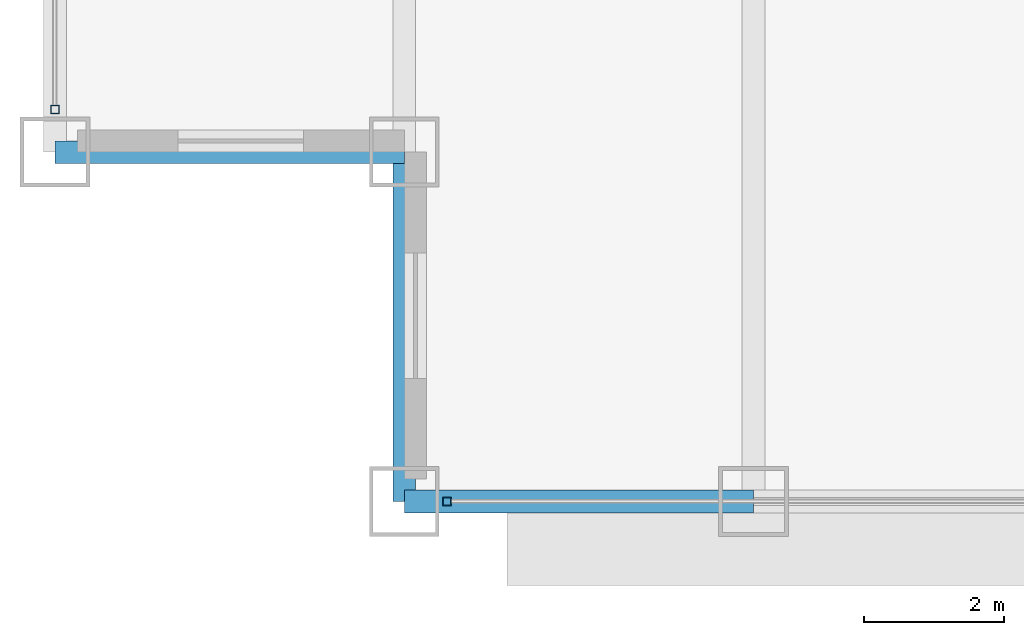
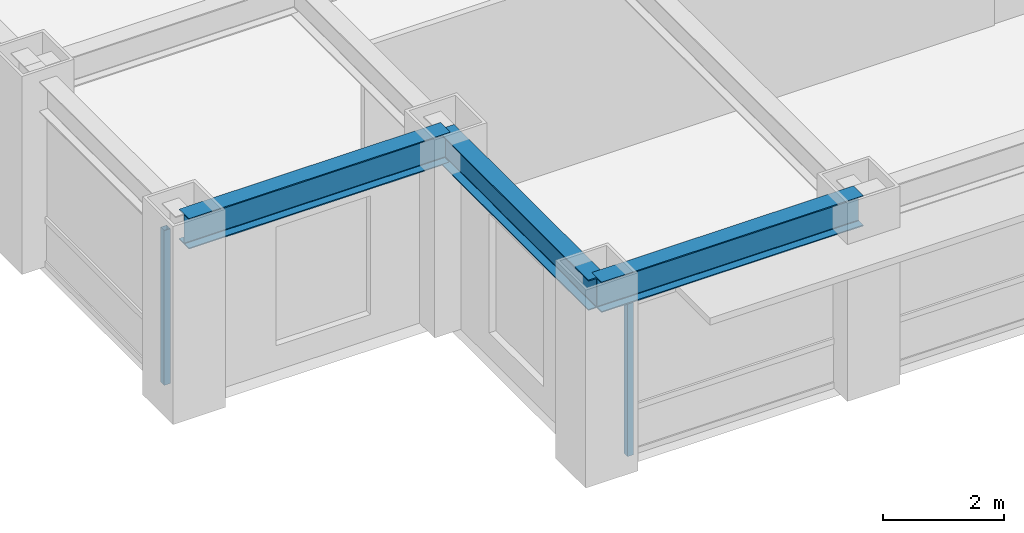
# One storey, part 2 of 29: 3 beams, 2 members, 2 elements without a shape of their own.
"""IFC4 building model written with IfcOpenShell, lengths in metres."""

from ifc_helpers import new_model, si_unit, direction, frame, origin, origin_2d, place, context, subcontext, project, spatial, hollow_rectangle, i_section, extrude, source, transform, mapped, material, material_profile, profile_set, type_object, element, aggregate, save


model = new_model("IFC4")

# Units and contexts
model_context = context("Model", 3, precision=1e-05, world=origin(), true_north=direction((0.0, 1.0)))
body_context = subcontext(model_context, "Body", "Model", "MODEL_VIEW")
ifc_project = project(units=[si_unit("LENGTHUNIT", "METRE"), si_unit("AREAUNIT", "SQUARE_METRE"), si_unit("VOLUMEUNIT", "CUBIC_METRE"), si_unit("PLANEANGLEUNIT", "RADIAN"), si_unit("MASSUNIT", "GRAM", prefix="KILO")], contexts=[model_context])

# Site, building, storey
site_placement = place(None, origin())
site = spatial("IfcSite", under=ifc_project, at=site_placement, CompositionType="ELEMENT")
building_placement = place(site_placement, origin())
building = spatial("IfcBuilding", under=site, at=building_placement, Name="Khorayat Bourse Tower", CompositionType="ELEMENT")
storey_placement = place(building_placement, frame((0.0, 0.0, 235.10009765625)))
storey = spatial("IfcBuildingStorey", under=building, at=storey_placement, Name="L55", CompositionType="ELEMENT", Elevation=235.10009765625)

# Beams
ifc_material_1 = material(Name="Steel ASTM A992 Grade 50", Category="steel")
ifc_material_profile_1 = material_profile(ifc_material_1, i_section(OverallWidth=0.324951171875, OverallDepth=0.615966796875, WebThickness=0.013916015625, FlangeThickness=0.021484375, FilletRadius=0.01611328125, at=origin_2d()), Name="W610X174")
ifc_profile_set_1 = profile_set([ifc_material_profile_1], Name="Steel ASTM A992 Grade 50")
beam_type = type_object("IfcBeamType", Name="BM-SPAN-610", PredefinedType="SPANDREL", material=ifc_profile_set_1)
shared_shape_1 = source(origin(), body_context, "Body", "SweptSolid", [
    extrude(i_section(OverallWidth=0.324951171875, OverallDepth=0.615966796875, WebThickness=0.013916015625, FlangeThickness=0.021484375, FilletRadius=0.01611328125, at=origin_2d()), origin(), (0.0, 0.0, 1.0), 5.0),
])
for number, where, z_axis, x_axis, name in (
    (1, (-25.0, -30.0, 3.471923828125), (1.0, 0.0, 0.0), (0.0, 1.0, 0.0), "L55 BM-SPAN-610 BM-L55-SPN-024"),
    (2, (-30.0, -25.0, 3.471923828125), (1.0, 0.0, 0.0), (0.0, 1.0, 0.0), "L55 BM-SPAN-610 BM-L55-SPN-062"),
    (3, (-25.0, -30.0, 3.471923828125), (0.0, 1.0, 0.0), (-1.0, 0.0, 0.0), "L55 BM-SPAN-610 BM-L55-SPN-063"),
):
    element("IfcBeam", number, at=place(storey_placement, frame(where, z_axis=z_axis, x_axis=x_axis)), inside=storey, type_object=beam_type, Name=name, PredefinedType="SPANDREL", context=body_context, shape_type="MappedRepresentation", body=[
        mapped(shared_shape_1, transform((0.0, 0.0, 0.0), scale=1.0)),
    ])

# Curtain wall, member
ifc_material_2 = material(Name="Aluminium EN AW-6063 T6", Category="aluminium")
curtain_wall_type = type_object("IfcCurtainWallType", Name="CW-SYS-03", PredefinedType="NOTDEFINED", material=ifc_material_2)
curtain_wall_1_placement = place(storey_placement, origin())
curtain_wall_1 = element("IfcCurtainWall", 4, at=curtain_wall_1_placement, inside=storey, type_object=curtain_wall_type, Name="L55 Curtain Wall CW-L55-S1", PredefinedType="NOTDEFINED")
ifc_material_profile_2 = material_profile(ifc_material_2, hollow_rectangle(XDim=0.1201171875, YDim=0.1201171875, WallThickness=0.0048828125, at=origin_2d()), Name="ALU 120x120x5")
ifc_profile_set_2 = profile_set([ifc_material_profile_2], Name="Aluminium EN AW-6063 T6")
member_type = type_object("IfcMemberType", Name="CWM-VERT-120", PredefinedType="MULLION", material=ifc_profile_set_2)
shared_shape_2 = source(origin(), body_context, "Body", "SweptSolid", [
    extrude(hollow_rectangle(XDim=0.1201171875, YDim=0.1201171875, WallThickness=0.0048828125, at=origin_2d()), origin(), (0.0, 0.0, 1.0), 3.1298828125),
])
member_1_placement = place(storey_placement, frame((-24.389892578125, -30.0, 0.0), z_axis=(0.0, 0.0, 1.0), x_axis=(0.0, 1.0, 0.0)))
member_1 = element("IfcMember", 5, at=member_1_placement, type_object=member_type, Name="CW-L55-S1 Vertical Mullion 1", PredefinedType="MULLION", context=body_context, shape_type="MappedRepresentation", body=[
    mapped(shared_shape_2, transform((0.0, 0.0, 0.0), scale=1.0)),
])
aggregate(curtain_wall_1, [member_1])

curtain_wall_2_placement = place(storey_placement, origin())
curtain_wall_2 = element("IfcCurtainWall", 6, at=curtain_wall_2_placement, inside=storey, type_object=curtain_wall_type, Name="L55 Curtain Wall CW-L55-W1", PredefinedType="NOTDEFINED")
member_2_placement = place(storey_placement, frame((-30.0, -24.389892578125, 0.0), z_axis=(0.0, 0.0, 1.0), x_axis=(-1.0, 0.0, 0.0)))
member_2 = element("IfcMember", 7, at=member_2_placement, type_object=member_type, Name="CW-L55-W1 Vertical Mullion 1", PredefinedType="MULLION", context=body_context, shape_type="MappedRepresentation", body=[
    mapped(shared_shape_2, transform((0.0, 0.0, 0.0), scale=1.0)),
])
aggregate(curtain_wall_2, [member_2])

save(model, "model.ifc")
